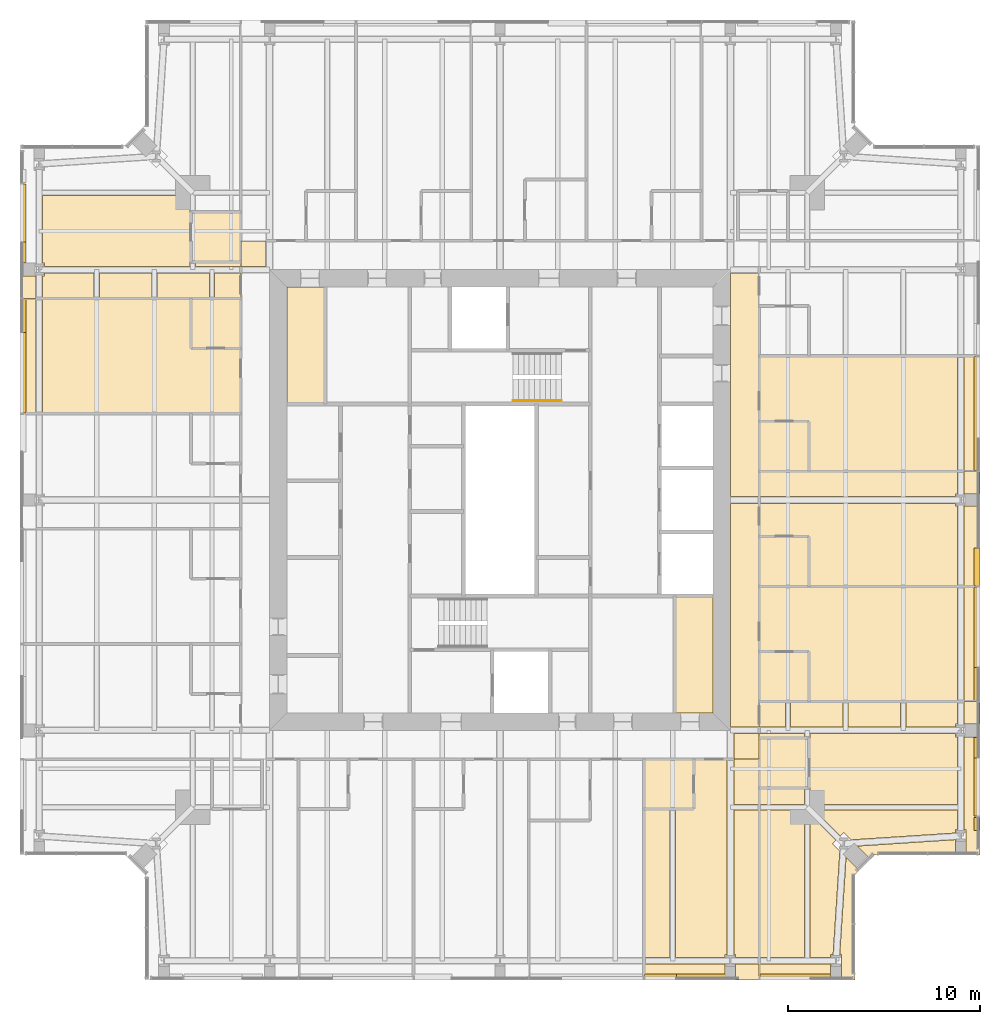
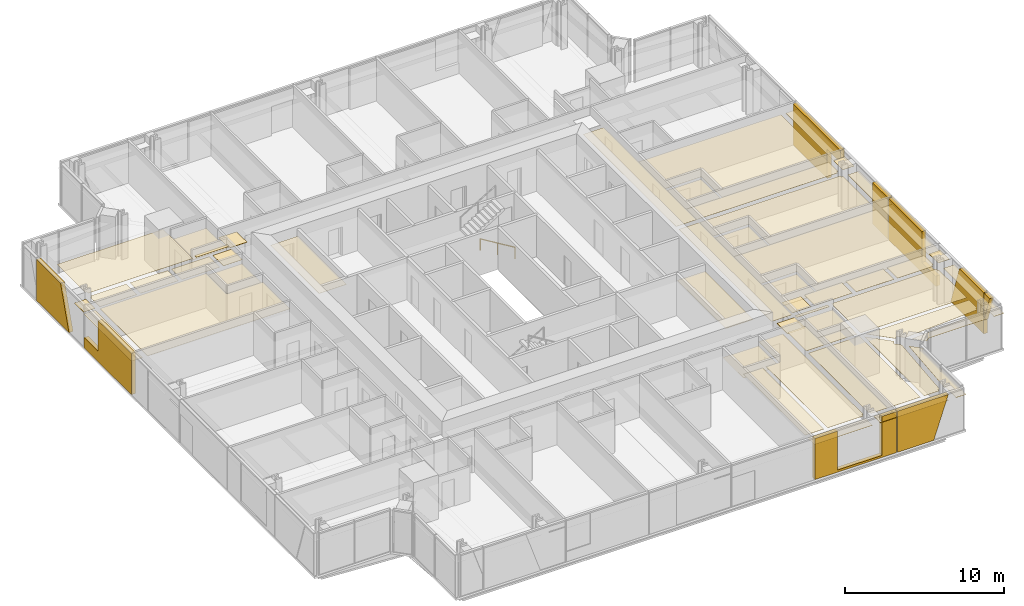
# One storey, part 18 of 20: 60 coverings, 1 railing.
"""IFC4 building model written with IfcOpenShell, lengths in metres."""

import ifcopenshell
import ifcopenshell.guid

model = None  # the IFC model being written
_history = None  # IfcOwnerHistory: only IFC2X3 demands one
_inside = {}  # id of a spatial element -> (the spatial element, [elements in it])
_under = {}  # id of a project, library or spatial element -> (it, [spatial elements below it])
_declared = {}  # id of a project -> (the project, [libraries it declares])
_typed = {}  # id of a type object -> (the type object, [elements of that type])
_made_of = {}  # id of a material, layer set ... -> (it, [elements and type objects made of it])


def new_model(schema):
    """Start an empty IFC model of exactly this schema.

    Asked for "IFC4X3", IfcOpenShell would pick the latest addendum, in which some entities
    have other attributes; the version numbers below select the first issue.
    IFC2X3 requires an IfcOwnerHistory on every rooted entity: one is made here for all.
    """
    global model, _history
    if schema == "IFC4X3":
        model = ifcopenshell.file(schema_version=(4, 3, 0, 0))
    else:
        model = ifcopenshell.file(schema=schema)
    _inside.clear()
    _under.clear()
    _declared.clear()
    _typed.clear()
    _made_of.clear()
    _history = None
    if model.schema == "IFC2X3":
        org = make("IfcOrganization", Name="unknown")
        user = make(
            "IfcPersonAndOrganization",
            ThePerson=make("IfcPerson", FamilyName="unknown"),
            TheOrganization=org,
        )
        app = make(
            "IfcApplication",
            ApplicationDeveloper=org,
            Version="unknown",
            ApplicationFullName="unknown",
            ApplicationIdentifier="unknown",
        )
        _history = make(
            "IfcOwnerHistory",
            OwningUser=user,
            OwningApplication=app,
            ChangeAction="ADDED",
            CreationDate=0,
        )
    return model


def make(cls, **values):
    """One entity of the class cls with the attributes given. An attribute that is None is left unset."""
    return model.create_entity(
        cls, **{name: value for name, value in values.items() if value is not None}
    )


def rooted(cls, **values):
    """An entity with a GlobalId (a new one), such as an element, a storey or a relation."""
    return make(cls, GlobalId=ifcopenshell.guid.new(), OwnerHistory=_history, **values)


def si_unit(unit_type, name, prefix=None):
    """IfcSIUnit, for example si_unit("LENGTHUNIT", "METRE", prefix="MILLI")."""
    return make("IfcSIUnit", UnitType=unit_type, Prefix=prefix, Name=name)


def assignment(units):
    """IfcUnitAssignment: the units of a project."""
    return None if units is None else make("IfcUnitAssignment", Units=units)


def point(xyz):
    """IfcCartesianPoint."""
    return None if xyz is None else make("IfcCartesianPoint", Coordinates=xyz)


def direction(xyz):
    """IfcDirection."""
    return None if xyz is None else make("IfcDirection", DirectionRatios=xyz)


def frame(location, z_axis=None, x_axis=None):
    """IfcAxis2Placement3D, a coordinate frame: its origin and axes. An axis left out is left unset."""
    return make(
        "IfcAxis2Placement3D",
        Location=point(location),
        Axis=direction(z_axis),
        RefDirection=direction(x_axis),
    )


def frame_2d(location, x_axis=None):
    """IfcAxis2Placement2D, a coordinate frame in the plane: its origin and x axis."""
    return make(
        "IfcAxis2Placement2D", Location=point(location), RefDirection=direction(x_axis)
    )


def origin():
    """The frame at (0, 0, 0) with its axes left unset."""
    return frame((0.0, 0.0, 0.0))


def origin_2d():
    """The frame at (0, 0) in the plane with its x axis left unset."""
    return frame_2d((0.0, 0.0))


def place(relative_to, where):
    """IfcLocalPlacement: puts the frame where relative to a parent placement (None: the world)."""
    return make(
        "IfcLocalPlacement", PlacementRelTo=relative_to, RelativePlacement=where
    )


def context(
    kind, dimensions, precision=None, world=None, true_north=None, identifier=None
):
    """IfcGeometricRepresentationContext, for example the 3D "Model" context."""
    return make(
        "IfcGeometricRepresentationContext",
        ContextIdentifier=identifier,
        ContextType=kind,
        CoordinateSpaceDimension=dimensions,
        Precision=precision,
        WorldCoordinateSystem=world,
        TrueNorth=true_north,
    )


def subcontext(parent, identifier, kind, view, scale=None):
    """IfcGeometricRepresentationSubContext, for example "Body" below "Model"."""
    return make(
        "IfcGeometricRepresentationSubContext",
        ContextIdentifier=identifier,
        ContextType=kind,
        ParentContext=parent,
        TargetScale=scale,
        TargetView=view,
    )


def project(units=None, contexts=None):
    """IfcProject with its units and contexts."""
    return rooted(
        "IfcProject",
        Name="project",
        RepresentationContexts=contexts,
        UnitsInContext=assignment(units),
    )


def spatial(cls, under=None, at=None, **own):
    """A site, building, storey or space (cls), placed at a placement, below another one or the project."""
    s = rooted(cls, ObjectPlacement=at, **own)
    if under is not None:
        _under.setdefault(under.id(), (under, []))[1].append(s)
    return s


def polyline(points):
    """IfcPolyline through the points."""
    return make("IfcPolyline", Points=[point(p) for p in points])


def profile(cls, at=None, kind="AREA", **sizes):
    """A parametric profile (cls). Its sizes go by their IFC names, for example OverallWidth=200.0."""
    return make(cls, ProfileType=kind, Position=at, **sizes)


def circle(**sizes):
    """IfcCircleProfileDef."""
    return profile("IfcCircleProfileDef", **sizes)


def outline(outer, holes=None, kind="AREA"):
    """IfcArbitraryClosedProfileDef: a profile drawn as a closed curve; with holes, ...WithVoids."""
    if holes is None:
        return make("IfcArbitraryClosedProfileDef", ProfileType=kind, OuterCurve=outer)
    return make(
        "IfcArbitraryProfileDefWithVoids",
        ProfileType=kind,
        OuterCurve=outer,
        InnerCurves=holes,
    )


def extrude(swept, where, along, depth):
    """IfcExtrudedAreaSolid: the profile swept, set in the frame where, extruded along a direction by depth."""
    return make(
        "IfcExtrudedAreaSolid",
        SweptArea=swept,
        Position=where,
        ExtrudedDirection=direction(along),
        Depth=depth,
    )


def shape(context_of_items, identifier, shape_type, items):
    """IfcShapeRepresentation: the items that make up one representation, for example the "Body"."""
    return make(
        "IfcShapeRepresentation",
        ContextOfItems=context_of_items,
        RepresentationIdentifier=identifier,
        RepresentationType=shape_type,
        Items=items,
    )


def material(Name=None, Category=None):
    """IfcMaterial."""
    return make("IfcMaterial", Name=Name, Category=Category)


def layer(
    of_material, thickness, ventilated=None, Name=None, Category=None, Priority=None
):
    """IfcMaterialLayer: one layer of a wall or slab, of a material (None: an air gap)."""
    return make(
        "IfcMaterialLayer",
        Material=of_material,
        LayerThickness=thickness,
        IsVentilated=ventilated,
        Name=Name,
        Category=Category,
        Priority=Priority,
    )


def layer_set(layers, Name=None):
    """IfcMaterialLayerSet."""
    return make("IfcMaterialLayerSet", MaterialLayers=layers, LayerSetName=Name)


def made_of(thing, what):
    """Note that an element or type object is made of a material, layer set ...; save() writes the relation."""
    if what is not None:
        _made_of.setdefault(what.id(), (what, []))[1].append(thing)
    return thing


def type_object(cls, material=None, **own):
    """A type object (cls), such as IfcWallType, which elements share."""
    return made_of(rooted(cls, **own), material)


def element(
    cls,
    number,
    at=None,
    inside=None,
    cuts=None,
    type_object=None,
    material=None,
    context=None,
    identifier="Body",
    shape_type=None,
    held_by="IfcProductDefinitionShape",
    body=None,
    shapes=None,
    **own,
):
    """One element of the class cls, such as IfcWall. Its Tag is "e" and its number.

    at: its placement. inside: the storey or other place that contains it. cuts: it is an
    opening in that element (IfcRelVoidsElement). A single representation is given by context,
    identifier, shape_type and body (its items); several are given by shapes. held_by: the class
    of the entity that holds the representations. save() writes the other relations.
    """
    e = rooted(cls, Tag="e%d" % number, ObjectPlacement=at, **own)
    if body is not None:
        shapes = [shape(context, identifier, shape_type, body)]
    if shapes is not None:
        e.Representation = make(held_by, Representations=shapes)
    if inside is not None:
        _inside.setdefault(inside.id(), (inside, []))[1].append(e)
    if cuts is not None:
        rooted(
            "IfcRelVoidsElement", RelatingBuildingElement=cuts, RelatedOpeningElement=e
        )
    if type_object is not None:
        _typed.setdefault(type_object.id(), (type_object, []))[1].append(e)
    return made_of(e, material)


def aggregate(whole, parts):
    """IfcRelAggregates: a whole, such as a stair, and the parts it consists of."""
    return rooted("IfcRelAggregates", RelatingObject=whole, RelatedObjects=parts)


def save(model, path):
    """Write the relations noted so far, then the file.

    IfcRelAggregates (storeys below a building ...), IfcRelContainedInSpatialStructure (elements
    in a storey), IfcRelDefinesByType, IfcRelAssociatesMaterial and IfcRelDeclares: one each for
    every whole, place, type object, material and project.
    """
    for whole, parts in _under.values():
        aggregate(whole, parts)
    for where, things in _inside.values():
        rooted(
            "IfcRelContainedInSpatialStructure",
            RelatedElements=things,
            RelatingStructure=where,
        )
    for kind, things in _typed.values():
        rooted("IfcRelDefinesByType", RelatedObjects=things, RelatingType=kind)
    for what, things in _made_of.values():
        rooted("IfcRelAssociatesMaterial", RelatedObjects=things, RelatingMaterial=what)
    for by, libraries in _declared.values():
        rooted("IfcRelDeclares", RelatingContext=by, RelatedDefinitions=libraries)
    model.write(path)


model = new_model("IFC4")

# Units and contexts
model_context = context("Model", 3, precision=1e-05, world=origin(), true_north=direction((0.0, 1.0)))
body_context = subcontext(model_context, "Body", "Model", "MODEL_VIEW")
ifc_project = project(units=[si_unit("LENGTHUNIT", "METRE"), si_unit("AREAUNIT", "SQUARE_METRE"), si_unit("VOLUMEUNIT", "CUBIC_METRE"), si_unit("PLANEANGLEUNIT", "RADIAN"), si_unit("MASSUNIT", "GRAM", prefix="KILO")], contexts=[model_context])

# Site, building, storey
site_placement = place(None, origin())
site = spatial("IfcSite", under=ifc_project, at=site_placement, CompositionType="ELEMENT")
building_placement = place(site_placement, origin())
building = spatial("IfcBuilding", under=site, at=building_placement, Name="Fenwick Lantern Interchange", CompositionType="ELEMENT")
storey_placement = place(building_placement, frame((0.0, 0.0, 245.800048828125)))
storey = spatial("IfcBuildingStorey", under=building, at=storey_placement, Name="L57", CompositionType="ELEMENT", Elevation=245.800048828125)

# Coverings
ifc_material_1 = material(Name="Granite cladding, warm grey flamed finish, on aluminium carrier frame", Category="masonry")
ifc_layer_1 = layer(ifc_material_1, 0.300048828125)
ifc_layer_set_1 = layer_set([ifc_layer_1], Name="BRACE CASING PANEL 300")
covering_type_1 = type_object("IfcCoveringType", Name="BRACE CASING PANEL 300", PredefinedType="CLADDING", material=ifc_layer_set_1)
covering_1_placement = place(storey_placement, frame((6.60009765625, 0.10009765625, 0.0), z_axis=(0.0, 0.0, 1.0), x_axis=(1.0, 0.0, 0.0)))
element("IfcCovering", 1, at=covering_1_placement, inside=storey, type_object=covering_type_1, Name="Brace casing 01 bay 05a", PredefinedType="CLADDING", context=body_context, shape_type="SweptSolid", body=[
    extrude(outline(polyline([(25.929931640625, 0.0), (31.8701171875, 0.0), (31.8701171875, 3.14990234375), (30.81494140625, 3.14990234375), (30.81494140625, 0.15966796875), (27.5849609375, 0.15966796875), (27.5849609375, 3.14990234375), (25.929931640625, 3.14990234375), (25.929931640625, 0.0)])), frame((0.0, 0.2099609375, 0.0), z_axis=(0.0, -1.0, 0.0), x_axis=(1.0, 0.0, 0.0)), (0.0, 0.0, 1.0), 0.300048828125),
])
covering_2_placement = place(storey_placement, frame((6.60009765625, 0.10009765625, 0.0), z_axis=(0.0, 0.0, 1.0), x_axis=(1.0, 0.0, 0.0)))
element("IfcCovering", 2, at=covering_2_placement, inside=storey, type_object=covering_type_1, Name="Brace casing 01 bay 06a", PredefinedType="CLADDING", context=body_context, shape_type="SweptSolid", body=[
    extrude(outline(polyline([(31.929931640625, 0.0), (34.560791015625, 0.0), (35.624267578125, 3.14990234375), (31.929931640625, 3.14990234375), (31.929931640625, 0.0)])), frame((0.0, 0.2099609375, 0.0), z_axis=(0.0, -1.0, 0.0), x_axis=(1.0, 0.0, 0.0)), (0.0, 0.0, 1.0), 0.300048828125),
])
covering_3_placement = place(storey_placement, frame((49.89990234375, 6.60009765625, 1.093505859375), z_axis=(0.0, 0.0, 1.0), x_axis=(0.0, 1.0, 0.0)))
element("IfcCovering", 3, at=covering_3_placement, inside=storey, type_object=covering_type_1, Name="Brace casing 05 bay 00a", PredefinedType="CLADDING", context=body_context, shape_type="SweptSolid", body=[
    extrude(outline(polyline([(1.8701171875, 0.0), (1.8701171875, 2.056396484375), (1.17578125, 2.056396484375), (1.8701171875, 0.0)])), frame((0.0, 0.2099609375, 0.0), z_axis=(0.0, -1.0, 0.0), x_axis=(1.0, 0.0, 0.0)), (0.0, 0.0, 1.0), 0.300048828125),
])
covering_4_placement = place(storey_placement, frame((49.89990234375, 6.60009765625, 0.0), z_axis=(0.0, 0.0, 1.0), x_axis=(0.0, 1.0, 0.0)))
element("IfcCovering", 4, at=covering_4_placement, inside=storey, type_object=covering_type_1, Name="Brace casing 05 bay 01a", PredefinedType="CLADDING", context=body_context, shape_type="SweptSolid", body=[
    extrude(outline(polyline([(1.929931640625, 0.0), (6.038818359375, 0.0), (4.975341796875, 3.14990234375), (1.929931640625, 3.14990234375), (1.929931640625, 0.0)])), frame((0.0, 0.2099609375, 0.0), z_axis=(0.0, -1.0, 0.0), x_axis=(1.0, 0.0, 0.0)), (0.0, 0.0, 1.0), 0.300048828125),
])
covering_5_placement = place(storey_placement, frame((49.89990234375, 6.60009765625, 0.0), z_axis=(0.0, 0.0, 1.0), x_axis=(0.0, 1.0, 0.0)))
element("IfcCovering", 5, at=covering_5_placement, inside=storey, type_object=covering_type_1, Name="Brace casing 05 bay 02a", PredefinedType="CLADDING", context=body_context, shape_type="SweptSolid", body=[
    extrude(outline(polyline([(7.929931640625, 0.0), (13.8701171875, 0.0), (13.8701171875, 3.14990234375), (9.675048828125, 3.14990234375), (9.675048828125, 0.7841796875), (7.929931640625, 0.7841796875), (7.929931640625, 0.0)])), frame((0.0, 0.2099609375, 0.0), z_axis=(0.0, -1.0, 0.0), x_axis=(1.0, 0.0, 0.0)), (0.0, 0.0, 1.0), 0.300048828125),
])
covering_6_placement = place(storey_placement, frame((49.89990234375, 6.60009765625, 0.0), z_axis=(0.0, 0.0, 1.0), x_axis=(0.0, 1.0, 0.0)))
element("IfcCovering", 6, at=covering_6_placement, inside=storey, type_object=covering_type_1, Name="Brace casing 05 bay 03a", PredefinedType="CLADDING", context=body_context, shape_type="SweptSolid", body=[
    extrude(outline(polyline([(13.929931640625, 0.0), (15.889892578125, 0.0), (15.889892578125, 3.14990234375), (13.929931640625, 3.14990234375), (13.929931640625, 0.0)])), frame((0.0, 0.2099609375, 0.0), z_axis=(0.0, -1.0, 0.0), x_axis=(1.0, 0.0, 0.0)), (0.0, 0.0, 1.0), 0.300048828125),
])
covering_7_placement = place(storey_placement, frame((49.89990234375, 6.60009765625, 0.0), z_axis=(0.0, 0.0, 1.0), x_axis=(0.0, 1.0, 0.0)))
element("IfcCovering", 7, at=covering_7_placement, inside=storey, type_object=covering_type_1, Name="Brace casing 05 bay 04a", PredefinedType="CLADDING", context=body_context, shape_type="SweptSolid", body=[
    extrude(outline(polyline([(21.580078125, 0.0), (25.8701171875, 0.0), (25.8701171875, 3.14990234375), (19.929931640625, 3.14990234375), (19.929931640625, 2.24169921875), (21.580078125, 2.24169921875), (21.580078125, 0.0)])), frame((0.0, 0.2099609375, 0.0), z_axis=(0.0, -1.0, 0.0), x_axis=(1.0, 0.0, 0.0)), (0.0, 0.0, 1.0), 0.300048828125),
])
covering_8_placement = place(storey_placement, frame((0.10009765625, 43.39990234375, 0.0), z_axis=(0.0, 0.0, 1.0), x_axis=(0.0, -1.0, 0.0)))
element("IfcCovering", 8, at=covering_8_placement, inside=storey, type_object=covering_type_1, Name="Brace casing 13 bay 01a", PredefinedType="CLADDING", context=body_context, shape_type="SweptSolid", body=[
    extrude(outline(polyline([(1.929931640625, 0.0), (6.038818359375, 0.0), (4.975341796875, 3.14990234375), (1.929931640625, 3.14990234375), (1.929931640625, 0.0)])), frame((0.0, 0.2099609375, 0.0), z_axis=(0.0, -1.0, 0.0), x_axis=(1.0, 0.0, 0.0)), (0.0, 0.0, 1.0), 0.300048828125),
])
covering_9_placement = place(storey_placement, frame((0.10009765625, 43.39990234375, 0.0), z_axis=(0.0, 0.0, 1.0), x_axis=(0.0, -1.0, 0.0)))
element("IfcCovering", 9, at=covering_9_placement, inside=storey, type_object=covering_type_1, Name="Brace casing 13 bay 02a", PredefinedType="CLADDING", context=body_context, shape_type="SweptSolid", body=[
    extrude(outline(polyline([(7.929931640625, 0.0), (13.8701171875, 0.0), (13.8701171875, 3.14990234375), (9.675048828125, 3.14990234375), (9.675048828125, 0.7841796875), (7.929931640625, 0.7841796875), (7.929931640625, 0.0)])), frame((0.0, 0.2099609375, 0.0), z_axis=(0.0, -1.0, 0.0), x_axis=(1.0, 0.0, 0.0)), (0.0, 0.0, 1.0), 0.300048828125),
])

# Railing
ifc_material_2 = material(Name="Stainless steel handrail", Category="steel")
railing_type = type_object("IfcRailingType", Name="HANDRAIL 900", PredefinedType="HANDRAIL", material=ifc_material_2)
railing_placement = place(storey_placement, frame((28.199951171875, 30.174072265625, 0.169921875)))
element("IfcRailing", 10, at=railing_placement, inside=storey, type_object=railing_type, Name="L57/STAIR/ST2/HR1", PredefinedType="HANDRAIL", context=body_context, shape_type="SweptSolid", body=[
    extrude(circle(Radius=0.02392578125, at=origin_2d()), frame((0.0, 0.0, 0.8759765625), z_axis=(-0.85478489116, 0.0, 0.518982456201), x_axis=(0.0, -1.0, 0.0)), (0.0, 0.0, 1.0), 2.9482421875),
    extrude(circle(Radius=0.02099609375, at=origin_2d()), origin(), (0.0, 0.0, 1.0), 0.851806640625),
    extrude(circle(Radius=0.02099609375, at=origin_2d()), frame((-1.260009765625, 0.0, 0.76513671875)), (0.0, 0.0, 1.0), 0.851806640625),
    extrude(circle(Radius=0.02099609375, at=origin_2d()), frame((-2.52001953125, 0.0, 1.530029296875)), (0.0, 0.0, 1.0), 0.851806640625),
])

# Coverings
ifc_material_3 = material(Name="Moisture resistant gypsum board on suspended frame, painted")
ifc_layer_2 = layer(ifc_material_3, 0.014892578125)
ifc_layer_set_2 = layer_set([ifc_layer_2], Name="MOISTURE RESISTANT CEILING 15")
covering_type_2 = type_object("IfcCoveringType", Name="MOISTURE RESISTANT CEILING 15", PredefinedType="CEILING", material=ifc_layer_set_2)
covering_10_placement = place(storey_placement, frame((0.0, 0.0, 2.599853515625)))
element("IfcCovering", 11, at=covering_10_placement, inside=storey, type_object=covering_type_2, Name="Men's WC ceiling", PredefinedType="CEILING", context=body_context, shape_type="SweptSolid", body=[
    extrude(outline(polyline([(34.10009765625, 13.89990234375), (36.10009765625, 13.89990234375), (36.10009765625, 20.0), (34.10009765625, 20.0), (34.10009765625, 13.89990234375)])), origin(), (0.0, 0.0, 1.0), 0.01513671875),
])
covering_11_placement = place(storey_placement, frame((0.0, 0.0, 2.599853515625)))
element("IfcCovering", 12, at=covering_11_placement, inside=storey, type_object=covering_type_2, Name="Men's WC ceiling", PredefinedType="CEILING", context=body_context, shape_type="SweptSolid", body=[
    extrude(outline(polyline([(15.89990234375, 36.10009765625), (13.89990234375, 36.10009765625), (13.89990234375, 30.0), (15.89990234375, 30.0), (15.89990234375, 36.10009765625)])), origin(), (0.0, 0.0, 1.0), 0.01513671875),
])
covering_12_placement = place(storey_placement, frame((0.0, 0.0, 2.39990234375)))
element("IfcCovering", 13, at=covering_12_placement, inside=storey, type_object=covering_type_2, Name="En-suite 5705 ceiling", PredefinedType="CEILING", context=body_context, shape_type="SweptSolid", body=[
    extrude(outline(polyline([(32.5, 8.89990234375), (35.10009765625, 8.89990234375), (35.10009765625, 11.5), (32.5, 11.5), (32.5, 8.89990234375)])), origin(), (0.0, 0.0, 1.0), 0.01513671875),
])
covering_13_placement = place(storey_placement, frame((0.0, 0.0, 2.39990234375)))
element("IfcCovering", 14, at=covering_13_placement, inside=storey, type_object=covering_type_2, Name="En-suite 5706 ceiling", PredefinedType="CEILING", context=body_context, shape_type="SweptSolid", body=[
    extrude(outline(polyline([(41.10009765625, 10.0), (41.10009765625, 12.60009765625), (38.5, 12.60009765625), (38.5, 10.0), (41.10009765625, 10.0)])), origin(), (0.0, 0.0, 1.0), 0.01513671875),
])
covering_14_placement = place(storey_placement, frame((0.0, 0.0, 2.39990234375)))
element("IfcCovering", 15, at=covering_14_placement, inside=storey, type_object=covering_type_2, Name="En-suite 5707 ceiling", PredefinedType="CEILING", context=body_context, shape_type="SweptSolid", body=[
    extrude(outline(polyline([(41.10009765625, 14.5), (41.10009765625, 17.10009765625), (38.5, 17.10009765625), (38.5, 14.5), (41.10009765625, 14.5)])), origin(), (0.0, 0.0, 1.0), 0.01513671875),
])
covering_15_placement = place(storey_placement, frame((0.0, 0.0, 2.39990234375)))
element("IfcCovering", 16, at=covering_15_placement, inside=storey, type_object=covering_type_2, Name="En-suite 5708 ceiling", PredefinedType="CEILING", context=body_context, shape_type="SweptSolid", body=[
    extrude(outline(polyline([(41.10009765625, 20.5), (41.10009765625, 23.10009765625), (38.5, 23.10009765625), (38.5, 20.5), (41.10009765625, 20.5)])), origin(), (0.0, 0.0, 1.0), 0.01513671875),
])
covering_16_placement = place(storey_placement, frame((0.0, 0.0, 2.39990234375)))
element("IfcCovering", 17, at=covering_16_placement, inside=storey, type_object=covering_type_2, Name="En-suite 5709 ceiling", PredefinedType="CEILING", context=body_context, shape_type="SweptSolid", body=[
    extrude(outline(polyline([(41.10009765625, 26.5), (41.10009765625, 29.10009765625), (38.5, 29.10009765625), (38.5, 26.5), (41.10009765625, 26.5)])), origin(), (0.0, 0.0, 1.0), 0.01513671875),
])
covering_17_placement = place(storey_placement, frame((0.0, 0.0, 2.39990234375)))
element("IfcCovering", 18, at=covering_17_placement, inside=storey, type_object=covering_type_2, Name="En-suite 5716 ceiling", PredefinedType="CEILING", context=body_context, shape_type="SweptSolid", body=[
    extrude(outline(polyline([(8.89990234375, 40.0), (8.89990234375, 37.39990234375), (11.5, 37.39990234375), (11.5, 40.0), (8.89990234375, 40.0)])), origin(), (0.0, 0.0, 1.0), 0.01513671875),
])
covering_18_placement = place(storey_placement, frame((0.0, 0.0, 2.39990234375)))
element("IfcCovering", 19, at=covering_18_placement, inside=storey, type_object=covering_type_2, Name="En-suite 5717 ceiling", PredefinedType="CEILING", context=body_context, shape_type="SweptSolid", body=[
    extrude(outline(polyline([(8.89990234375, 35.5), (8.89990234375, 32.89990234375), (11.5, 32.89990234375), (11.5, 35.5), (8.89990234375, 35.5)])), origin(), (0.0, 0.0, 1.0), 0.01513671875),
])
ifc_material_4 = material(Name="Gypsum plasterboard on suspended frame, painted")
ifc_layer_3 = layer(ifc_material_4, 0.014892578125)
ifc_layer_set_3 = layer_set([ifc_layer_3], Name="PLASTERBOARD CEILING 15")
covering_type_3 = type_object("IfcCoveringType", Name="PLASTERBOARD CEILING 15", PredefinedType="CEILING", material=ifc_layer_set_3)
covering_19_placement = place(storey_placement, frame((0.0, 0.0, 2.57275390625)))
element("IfcCovering", 20, at=covering_19_placement, inside=storey, type_object=covering_type_3, Name="Corridor ceiling", PredefinedType="CEILING", context=body_context, shape_type="SweptSolid", body=[
    extrude(outline(polyline([(38.5, 25.175048828125), (38.5, 36.833984375), (37.0, 36.833984375), (37.0, 25.175048828125), (38.5, 25.175048828125)])), origin(), (0.0, 0.0, 1.0), 0.01513671875),
])
covering_20_placement = place(storey_placement, frame((0.0, 0.0, 2.57275390625)))
element("IfcCovering", 21, at=covering_20_placement, inside=storey, type_object=covering_type_3, Name="Corridor ceiling", PredefinedType="CEILING", context=body_context, shape_type="SweptSolid", body=[
    extrude(outline(polyline([(38.5, 13.166015625), (38.5, 24.824951171875), (37.0, 24.824951171875), (37.0, 13.166015625), (38.5, 13.166015625)])), origin(), (0.0, 0.0, 1.0), 0.01513671875),
])
covering_21_placement = place(storey_placement, frame((0.0, 0.0, 2.57275390625)))
element("IfcCovering", 22, at=covering_21_placement, inside=storey, type_object=covering_type_3, Name="Corridor ceiling", PredefinedType="CEILING", context=body_context, shape_type="SweptSolid", body=[
    extrude(outline(polyline([(12.816162109375, 38.5), (11.5, 38.5), (11.5, 37.166015625), (12.816162109375, 37.166015625), (12.816162109375, 38.5)])), origin(), (0.0, 0.0, 1.0), 0.01513671875),
])
covering_22_placement = place(storey_placement, frame((0.0, 0.0, 2.57275390625)))
element("IfcCovering", 23, at=covering_22_placement, inside=storey, type_object=covering_type_3, Name="Corridor ceiling", PredefinedType="CEILING", context=body_context, shape_type="SweptSolid", body=[
    extrude(outline(polyline([(38.5, 11.5), (38.5, 12.833984375), (37.183837890625, 12.833984375), (37.183837890625, 11.5), (38.5, 11.5)])), origin(), (0.0, 0.0, 1.0), 0.01513671875),
])
covering_23_placement = place(storey_placement, frame((0.0, 0.0, 2.699951171875)))
element("IfcCovering", 24, at=covering_23_placement, inside=storey, type_object=covering_type_3, Name="Guest room 5705 ceiling", PredefinedType="CEILING", context=body_context, shape_type="SweptSolid", body=[
    extrude(outline(polyline([(36.72265625, 1.33447265625), (36.816162109375, 1.33447265625), (36.816162109375, 11.5), (35.10009765625, 11.5), (35.10009765625, 8.89990234375), (34.134521484375, 8.89990234375), (34.134521484375, 1.17236328125), (36.72265625, 1.17236328125), (36.72265625, 1.33447265625)])), origin(), (0.0, 0.0, 1.0), 0.014892578125),
])
covering_24_placement = place(storey_placement, frame((0.0, 0.0, 2.699951171875)))
element("IfcCovering", 25, at=covering_24_placement, inside=storey, type_object=covering_type_3, Name="Guest room 5705 ceiling", PredefinedType="CEILING", context=body_context, shape_type="SweptSolid", body=[
    extrude(outline(polyline([(32.5, 8.89990234375), (32.5, 1.17236328125), (33.865478515625, 1.17236328125), (33.865478515625, 8.89990234375), (32.5, 8.89990234375)])), origin(), (0.0, 0.0, 1.0), 0.014892578125),
])
covering_25_placement = place(storey_placement, frame((0.0, 0.0, 2.699951171875)))
element("IfcCovering", 26, at=covering_25_placement, inside=storey, type_object=covering_type_3, Name="Guest room 5705 ceiling", PredefinedType="CEILING", context=body_context, shape_type="SweptSolid", body=[
    extrude(outline(polyline([(37.27734375, 1.33447265625), (37.27734375, 1.17236328125), (38.5, 1.17236328125), (38.5, 8.865478515625), (37.183837890625, 8.865478515625), (37.183837890625, 1.33447265625), (37.27734375, 1.33447265625)])), origin(), (0.0, 0.0, 1.0), 0.014892578125),
])
covering_26_placement = place(storey_placement, frame((0.0, 0.0, 2.699951171875)))
element("IfcCovering", 27, at=covering_26_placement, inside=storey, type_object=covering_type_3, Name="Guest room 5705 ceiling", PredefinedType="CEILING", context=body_context, shape_type="SweptSolid", body=[
    extrude(outline(polyline([(36.72265625, 0.0), (36.72265625, 0.82763671875), (32.5, 0.82763671875), (32.5, 0.0), (36.72265625, 0.0)])), origin(), (0.0, 0.0, 1.0), 0.014892578125),
])
covering_27_placement = place(storey_placement, frame((0.0, 0.0, 2.699951171875)))
element("IfcCovering", 28, at=covering_27_placement, inside=storey, type_object=covering_type_3, Name="Guest room 5705 ceiling", PredefinedType="CEILING", context=body_context, shape_type="SweptSolid", body=[
    extrude(outline(polyline([(38.5, 11.5), (37.183837890625, 11.5), (37.183837890625, 9.134521484375), (38.5, 9.134521484375), (38.5, 11.5)])), origin(), (0.0, 0.0, 1.0), 0.014892578125),
])
covering_28_placement = place(storey_placement, frame((0.0, 0.0, 2.699951171875)))
element("IfcCovering", 29, at=covering_28_placement, inside=storey, type_object=covering_type_3, Name="Guest room 5705 ceiling", PredefinedType="CEILING", context=body_context, shape_type="SweptSolid", body=[
    extrude(outline(polyline([(37.27734375, 0.0), (38.5, 0.0), (38.5, 0.82763671875), (37.27734375, 0.82763671875), (37.27734375, 0.0)])), origin(), (0.0, 0.0, 1.0), 0.014892578125),
])
covering_29_placement = place(storey_placement, frame((0.0, 0.0, 2.699951171875)))
element("IfcCovering", 30, at=covering_29_placement, inside=storey, type_object=covering_type_3, Name="Guest suite 5706 ceiling", PredefinedType="CEILING", context=body_context, shape_type="SweptSolid", body=[
    extrude(outline(polyline([(48.72265625, 12.66552734375), (48.72265625, 12.833984375), (41.134521484375, 12.833984375), (41.134521484375, 9.134521484375), (48.82763671875, 9.134521484375), (48.82763671875, 12.66552734375), (48.72265625, 12.66552734375)])), origin(), (0.0, 0.0, 1.0), 0.014892578125),
])
covering_30_placement = place(storey_placement, frame((0.0, 0.0, 2.699951171875)))
element("IfcCovering", 31, at=covering_30_placement, inside=storey, type_object=covering_type_3, Name="Guest suite 5706 ceiling", PredefinedType="CEILING", context=body_context, shape_type="SweptSolid", body=[
    extrude(outline(polyline([(38.5, 8.865478515625), (38.5, 1.17236328125), (40.865478515625, 1.17236328125), (40.865478515625, 8.865478515625), (38.5, 8.865478515625)])), origin(), (0.0, 0.0, 1.0), 0.014892578125),
])
covering_31_placement = place(storey_placement, frame((0.0, 0.0, 2.699951171875)))
element("IfcCovering", 32, at=covering_31_placement, inside=storey, type_object=covering_type_3, Name="Guest suite 5706 ceiling", PredefinedType="CEILING", context=body_context, shape_type="SweptSolid", body=[
    extrude(outline(polyline([(48.72265625, 7.83447265625), (48.82763671875, 7.83447265625), (48.82763671875, 8.865478515625), (41.351318359375, 8.865478515625), (42.71728515625, 7.499755859375), (42.89990234375, 7.6826171875), (43.284423828125, 7.298095703125), (48.72265625, 7.654541015625), (48.72265625, 7.83447265625)])), origin(), (0.0, 0.0, 1.0), 0.014892578125),
])
covering_32_placement = place(storey_placement, frame((0.0, 0.0, 2.699951171875)))
element("IfcCovering", 33, at=covering_32_placement, inside=storey, type_object=covering_type_3, Name="Guest suite 5706 ceiling", PredefinedType="CEILING", context=body_context, shape_type="SweptSolid", body=[
    extrude(outline(polyline([(42.22265625, 1.33447265625), (42.34912109375, 1.33447265625), (42.701904296875, 6.715576171875), (42.3173828125, 7.10009765625), (42.500244140625, 7.28271484375), (41.134521484375, 8.648681640625), (41.134521484375, 1.17236328125), (42.22265625, 1.17236328125), (42.22265625, 1.33447265625)])), origin(), (0.0, 0.0, 1.0), 0.014892578125),
])
covering_33_placement = place(storey_placement, frame((0.0, 0.0, 2.699951171875)))
element("IfcCovering", 34, at=covering_33_placement, inside=storey, type_object=covering_type_3, Name="Guest suite 5706 ceiling", PredefinedType="CEILING", context=body_context, shape_type="SweptSolid", body=[
    extrude(outline(polyline([(50.0, 12.66552734375), (49.17236328125, 12.66552734375), (49.17236328125, 7.83447265625), (49.27734375, 7.83447265625), (49.27734375, 6.5), (50.0, 6.5), (50.0, 12.66552734375)])), origin(), (0.0, 0.0, 1.0), 0.014892578125),
])
covering_34_placement = place(storey_placement, frame((0.0, 0.0, 2.699951171875)))
element("IfcCovering", 35, at=covering_34_placement, inside=storey, type_object=covering_type_3, Name="Guest suite 5706 ceiling", PredefinedType="CEILING", context=body_context, shape_type="SweptSolid", body=[
    extrude(outline(polyline([(42.69482421875, 1.33447265625), (42.77734375, 1.33447265625), (42.77734375, 0.0), (43.5, 0.0), (43.5, 5.5), (43.708740234375, 5.708740234375), (43.0263671875, 6.39111328125), (42.69482421875, 1.33447265625)])), origin(), (0.0, 0.0, 1.0), 0.014892578125),
])
covering_35_placement = place(storey_placement, frame((0.0, 0.0, 2.699951171875)))
element("IfcCovering", 36, at=covering_35_placement, inside=storey, type_object=covering_type_3, Name="Guest suite 5706 ceiling", PredefinedType="CEILING", context=body_context, shape_type="SweptSolid", body=[
    extrude(outline(polyline([(42.865478515625, 14.5), (40.134521484375, 14.5), (40.134521484375, 13.166015625), (42.865478515625, 13.166015625), (42.865478515625, 14.5)])), origin(), (0.0, 0.0, 1.0), 0.014892578125),
])
covering_36_placement = place(storey_placement, frame((0.0, 0.0, 2.699951171875)))
element("IfcCovering", 37, at=covering_36_placement, inside=storey, type_object=covering_type_3, Name="Guest suite 5706 ceiling", PredefinedType="CEILING", context=body_context, shape_type="SweptSolid", body=[
    extrude(outline(polyline([(45.865478515625, 14.5), (43.134521484375, 14.5), (43.134521484375, 13.166015625), (45.865478515625, 13.166015625), (45.865478515625, 14.5)])), origin(), (0.0, 0.0, 1.0), 0.014892578125),
])
covering_37_placement = place(storey_placement, frame((0.0, 0.0, 2.699951171875)))
element("IfcCovering", 38, at=covering_37_placement, inside=storey, type_object=covering_type_3, Name="Guest suite 5706 ceiling", PredefinedType="CEILING", context=body_context, shape_type="SweptSolid", body=[
    extrude(outline(polyline([(48.82763671875, 14.5), (46.134521484375, 14.5), (46.134521484375, 13.166015625), (48.72265625, 13.166015625), (48.72265625, 13.33447265625), (48.82763671875, 13.33447265625), (48.82763671875, 14.5)])), origin(), (0.0, 0.0, 1.0), 0.014892578125),
])
covering_38_placement = place(storey_placement, frame((0.0, 0.0, 2.699951171875)))
element("IfcCovering", 39, at=covering_38_placement, inside=storey, type_object=covering_type_3, Name="Guest suite 5706 ceiling", PredefinedType="CEILING", context=body_context, shape_type="SweptSolid", body=[
    extrude(outline(polyline([(48.72265625, 6.5), (48.72265625, 7.30908203125), (43.60888671875, 6.9736328125), (44.291259765625, 6.291259765625), (44.5, 6.5), (48.72265625, 6.5)])), origin(), (0.0, 0.0, 1.0), 0.014892578125),
])
covering_39_placement = place(storey_placement, frame((0.0, 0.0, 2.699951171875)))
element("IfcCovering", 40, at=covering_39_placement, inside=storey, type_object=covering_type_3, Name="Guest suite 5706 ceiling", PredefinedType="CEILING", context=body_context, shape_type="SweptSolid", body=[
    extrude(outline(polyline([(42.22265625, 0.0), (42.22265625, 0.82763671875), (38.5, 0.82763671875), (38.5, 0.0), (42.22265625, 0.0)])), origin(), (0.0, 0.0, 1.0), 0.014892578125),
])
covering_40_placement = place(storey_placement, frame((0.0, 0.0, 2.699951171875)))
element("IfcCovering", 41, at=covering_40_placement, inside=storey, type_object=covering_type_3, Name="Guest suite 5706 ceiling", PredefinedType="CEILING", context=body_context, shape_type="SweptSolid", body=[
    extrude(outline(polyline([(38.5, 10.0), (38.5, 9.134521484375), (40.865478515625, 9.134521484375), (40.865478515625, 10.0), (38.5, 10.0)])), origin(), (0.0, 0.0, 1.0), 0.014892578125),
])
covering_41_placement = place(storey_placement, frame((0.0, 0.0, 2.699951171875)))
element("IfcCovering", 42, at=covering_41_placement, inside=storey, type_object=covering_type_3, Name="Guest suite 5706 ceiling", PredefinedType="CEILING", context=body_context, shape_type="SweptSolid", body=[
    extrude(outline(polyline([(38.5, 14.5), (38.5, 13.166015625), (39.865478515625, 13.166015625), (39.865478515625, 14.5), (38.5, 14.5)])), origin(), (0.0, 0.0, 1.0), 0.014892578125),
])
covering_42_placement = place(storey_placement, frame((0.0, 0.0, 2.699951171875)))
element("IfcCovering", 43, at=covering_42_placement, inside=storey, type_object=covering_type_3, Name="Guest suite 5706 ceiling", PredefinedType="CEILING", context=body_context, shape_type="SweptSolid", body=[
    extrude(outline(polyline([(50.0, 14.5), (49.17236328125, 14.5), (49.17236328125, 13.33447265625), (50.0, 13.33447265625), (50.0, 14.5)])), origin(), (0.0, 0.0, 1.0), 0.014892578125),
])
covering_43_placement = place(storey_placement, frame((0.0, 0.0, 2.699951171875)))
element("IfcCovering", 44, at=covering_43_placement, inside=storey, type_object=covering_type_3, Name="Guest suite 5706 ceiling", PredefinedType="CEILING", context=body_context, shape_type="SweptSolid", body=[
    extrude(outline(polyline([(38.5, 12.60009765625), (40.865478515625, 12.60009765625), (40.865478515625, 12.833984375), (38.5, 12.833984375), (38.5, 12.60009765625)])), origin(), (0.0, 0.0, 1.0), 0.014892578125),
])
covering_44_placement = place(storey_placement, frame((0.0, 0.0, 2.57275390625)))
element("IfcCovering", 45, at=covering_44_placement, inside=storey, type_object=covering_type_3, Name="Guest room 5707 ceiling", PredefinedType="CEILING", context=body_context, shape_type="SweptSolid", body=[
    extrude(outline(polyline([(48.82763671875, 20.5), (38.5, 20.5), (38.5, 17.10009765625), (41.10009765625, 17.10009765625), (41.10009765625, 14.5), (48.82763671875, 14.5), (48.82763671875, 20.5)])), origin(), (0.0, 0.0, 1.0), 0.01513671875),
])
covering_45_placement = place(storey_placement, frame((0.0, 0.0, 2.57275390625)))
element("IfcCovering", 46, at=covering_45_placement, inside=storey, type_object=covering_type_3, Name="Guest room 5707 ceiling", PredefinedType="CEILING", context=body_context, shape_type="SweptSolid", body=[
    extrude(outline(polyline([(50.0, 20.5), (49.17236328125, 20.5), (49.17236328125, 14.5), (50.0, 14.5), (50.0, 20.5)])), origin(), (0.0, 0.0, 1.0), 0.01513671875),
])
covering_46_placement = place(storey_placement, frame((0.0, 0.0, 2.57275390625)))
element("IfcCovering", 47, at=covering_46_placement, inside=storey, type_object=covering_type_3, Name="Guest room 5708 ceiling", PredefinedType="CEILING", context=body_context, shape_type="SweptSolid", body=[
    extrude(outline(polyline([(48.72900390625, 24.6845703125), (48.72900390625, 24.824951171875), (38.5, 24.824951171875), (38.5, 23.10009765625), (41.10009765625, 23.10009765625), (41.10009765625, 20.5), (48.82763671875, 20.5), (48.82763671875, 24.6845703125), (48.72900390625, 24.6845703125)])), origin(), (0.0, 0.0, 1.0), 0.01513671875),
])
covering_47_placement = place(storey_placement, frame((0.0, 0.0, 2.57275390625)))
element("IfcCovering", 48, at=covering_47_placement, inside=storey, type_object=covering_type_3, Name="Guest room 5708 ceiling", PredefinedType="CEILING", context=body_context, shape_type="SweptSolid", body=[
    extrude(outline(polyline([(48.72900390625, 25.3154296875), (48.82763671875, 25.3154296875), (48.82763671875, 26.5), (38.5, 26.5), (38.5, 25.175048828125), (48.72900390625, 25.175048828125), (48.72900390625, 25.3154296875)])), origin(), (0.0, 0.0, 1.0), 0.01513671875),
])
covering_48_placement = place(storey_placement, frame((0.0, 0.0, 2.57275390625)))
element("IfcCovering", 49, at=covering_48_placement, inside=storey, type_object=covering_type_3, Name="Guest room 5708 ceiling", PredefinedType="CEILING", context=body_context, shape_type="SweptSolid", body=[
    extrude(outline(polyline([(50.0, 24.6845703125), (49.17236328125, 24.6845703125), (49.17236328125, 20.5), (50.0, 20.5), (50.0, 24.6845703125)])), origin(), (0.0, 0.0, 1.0), 0.01513671875),
])
covering_49_placement = place(storey_placement, frame((0.0, 0.0, 2.57275390625)))
element("IfcCovering", 50, at=covering_49_placement, inside=storey, type_object=covering_type_3, Name="Guest room 5708 ceiling", PredefinedType="CEILING", context=body_context, shape_type="SweptSolid", body=[
    extrude(outline(polyline([(50.0, 25.3154296875), (50.0, 26.5), (49.17236328125, 26.5), (49.17236328125, 25.3154296875), (50.0, 25.3154296875)])), origin(), (0.0, 0.0, 1.0), 0.01513671875),
])
covering_50_placement = place(storey_placement, frame((0.0, 0.0, 2.57275390625)))
element("IfcCovering", 51, at=covering_50_placement, inside=storey, type_object=covering_type_3, Name="Guest room 5709 ceiling", PredefinedType="CEILING", context=body_context, shape_type="SweptSolid", body=[
    extrude(outline(polyline([(48.82763671875, 32.5), (38.5, 32.5), (38.5, 29.10009765625), (41.10009765625, 29.10009765625), (41.10009765625, 26.5), (48.82763671875, 26.5), (48.82763671875, 32.5)])), origin(), (0.0, 0.0, 1.0), 0.01513671875),
])
covering_51_placement = place(storey_placement, frame((0.0, 0.0, 2.57275390625)))
element("IfcCovering", 52, at=covering_51_placement, inside=storey, type_object=covering_type_3, Name="Guest room 5709 ceiling", PredefinedType="CEILING", context=body_context, shape_type="SweptSolid", body=[
    extrude(outline(polyline([(50.0, 32.5), (49.17236328125, 32.5), (49.17236328125, 26.5), (50.0, 26.5), (50.0, 32.5)])), origin(), (0.0, 0.0, 1.0), 0.01513671875),
])
covering_52_placement = place(storey_placement, frame((0.0, 0.0, 2.699951171875)))
element("IfcCovering", 53, at=covering_52_placement, inside=storey, type_object=covering_type_3, Name="Guest suite 5716 ceiling", PredefinedType="CEILING", context=body_context, shape_type="SweptSolid", body=[
    extrude(outline(polyline([(1.27734375, 37.33447265625), (1.27734375, 37.166015625), (8.865478515625, 37.166015625), (8.865478515625, 40.865478515625), (1.17236328125, 40.865478515625), (1.17236328125, 37.33447265625), (1.27734375, 37.33447265625)])), origin(), (0.0, 0.0, 1.0), 0.014892578125),
])
covering_53_placement = place(storey_placement, frame((0.0, 0.0, 2.699951171875)))
element("IfcCovering", 54, at=covering_53_placement, inside=storey, type_object=covering_type_3, Name="Guest suite 5716 ceiling", PredefinedType="CEILING", context=body_context, shape_type="SweptSolid", body=[
    extrude(outline(polyline([(4.134521484375, 35.5), (6.865478515625, 35.5), (6.865478515625, 36.833984375), (4.134521484375, 36.833984375), (4.134521484375, 35.5)])), origin(), (0.0, 0.0, 1.0), 0.014892578125),
])
covering_54_placement = place(storey_placement, frame((0.0, 0.0, 2.699951171875)))
element("IfcCovering", 55, at=covering_54_placement, inside=storey, type_object=covering_type_3, Name="Guest suite 5716 ceiling", PredefinedType="CEILING", context=body_context, shape_type="SweptSolid", body=[
    extrude(outline(polyline([(7.134521484375, 35.5), (9.865478515625, 35.5), (9.865478515625, 36.833984375), (7.134521484375, 36.833984375), (7.134521484375, 35.5)])), origin(), (0.0, 0.0, 1.0), 0.014892578125),
])
covering_55_placement = place(storey_placement, frame((0.0, 0.0, 2.699951171875)))
element("IfcCovering", 56, at=covering_55_placement, inside=storey, type_object=covering_type_3, Name="Guest suite 5716 ceiling", PredefinedType="CEILING", context=body_context, shape_type="SweptSolid", body=[
    extrude(outline(polyline([(1.17236328125, 35.5), (3.865478515625, 35.5), (3.865478515625, 36.833984375), (1.27734375, 36.833984375), (1.27734375, 36.66552734375), (1.17236328125, 36.66552734375), (1.17236328125, 35.5)])), origin(), (0.0, 0.0, 1.0), 0.014892578125),
])
covering_56_placement = place(storey_placement, frame((0.0, 0.0, 2.699951171875)))
element("IfcCovering", 57, at=covering_56_placement, inside=storey, type_object=covering_type_3, Name="Guest suite 5716 ceiling", PredefinedType="CEILING", context=body_context, shape_type="SweptSolid", body=[
    extrude(outline(polyline([(11.5, 35.5), (11.5, 36.833984375), (10.134521484375, 36.833984375), (10.134521484375, 35.5), (11.5, 35.5)])), origin(), (0.0, 0.0, 1.0), 0.014892578125),
])
covering_57_placement = place(storey_placement, frame((0.0, 0.0, 2.699951171875)))
element("IfcCovering", 58, at=covering_57_placement, inside=storey, type_object=covering_type_3, Name="Guest suite 5716 ceiling", PredefinedType="CEILING", context=body_context, shape_type="SweptSolid", body=[
    extrude(outline(polyline([(0.0, 35.5), (0.82763671875, 35.5), (0.82763671875, 36.66552734375), (0.0, 36.66552734375), (0.0, 35.5)])), origin(), (0.0, 0.0, 1.0), 0.014892578125),
])
covering_58_placement = place(storey_placement, frame((0.0, 0.0, 2.699951171875)))
element("IfcCovering", 59, at=covering_58_placement, inside=storey, type_object=covering_type_3, Name="Guest suite 5716 ceiling", PredefinedType="CEILING", context=body_context, shape_type="SweptSolid", body=[
    extrude(outline(polyline([(11.5, 37.39990234375), (9.134521484375, 37.39990234375), (9.134521484375, 37.166015625), (11.5, 37.166015625), (11.5, 37.39990234375)])), origin(), (0.0, 0.0, 1.0), 0.014892578125),
])
covering_59_placement = place(storey_placement, frame((0.0, 0.0, 2.57275390625)))
element("IfcCovering", 60, at=covering_59_placement, inside=storey, type_object=covering_type_3, Name="Guest room 5717 ceiling", PredefinedType="CEILING", context=body_context, shape_type="SweptSolid", body=[
    extrude(outline(polyline([(1.17236328125, 29.5), (11.5, 29.5), (11.5, 32.89990234375), (8.89990234375, 32.89990234375), (8.89990234375, 35.5), (1.17236328125, 35.5), (1.17236328125, 29.5)])), origin(), (0.0, 0.0, 1.0), 0.01513671875),
])
covering_60_placement = place(storey_placement, frame((0.0, 0.0, 2.57275390625)))
element("IfcCovering", 61, at=covering_60_placement, inside=storey, type_object=covering_type_3, Name="Guest room 5717 ceiling", PredefinedType="CEILING", context=body_context, shape_type="SweptSolid", body=[
    extrude(outline(polyline([(0.0, 29.5), (0.82763671875, 29.5), (0.82763671875, 35.5), (0.0, 35.5), (0.0, 29.5)])), origin(), (0.0, 0.0, 1.0), 0.01513671875),
])

save(model, "model.ifc")
